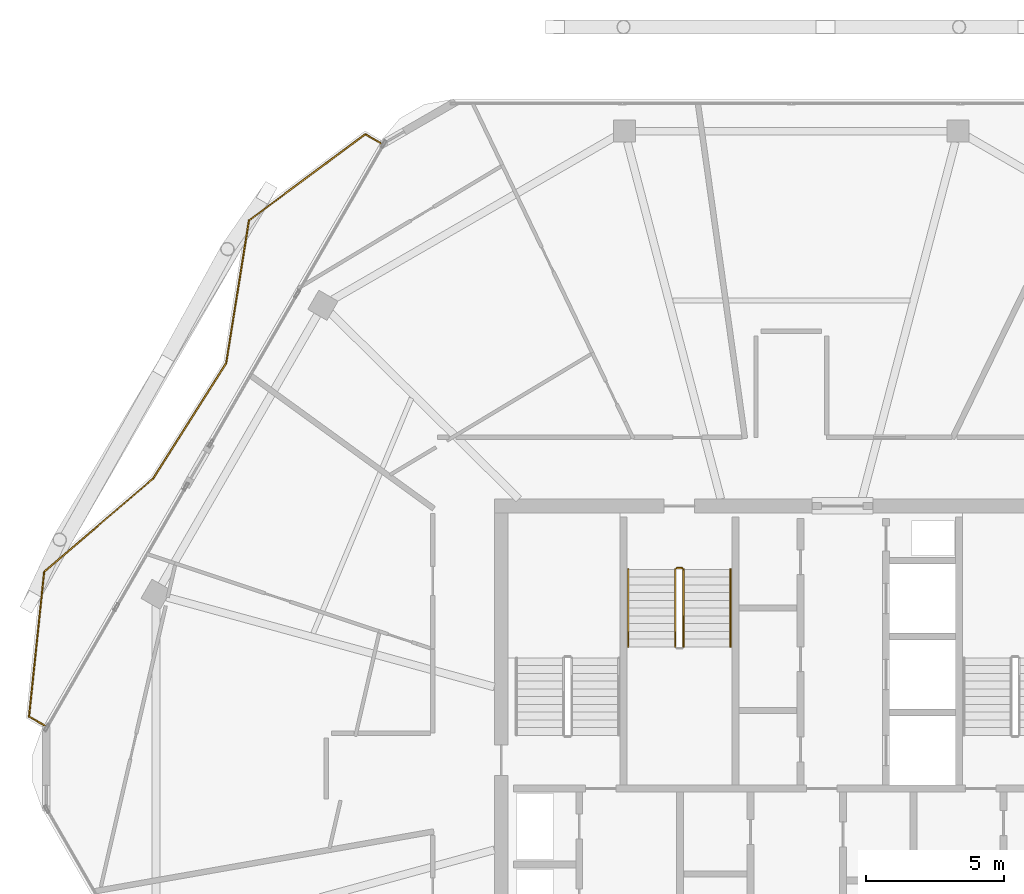
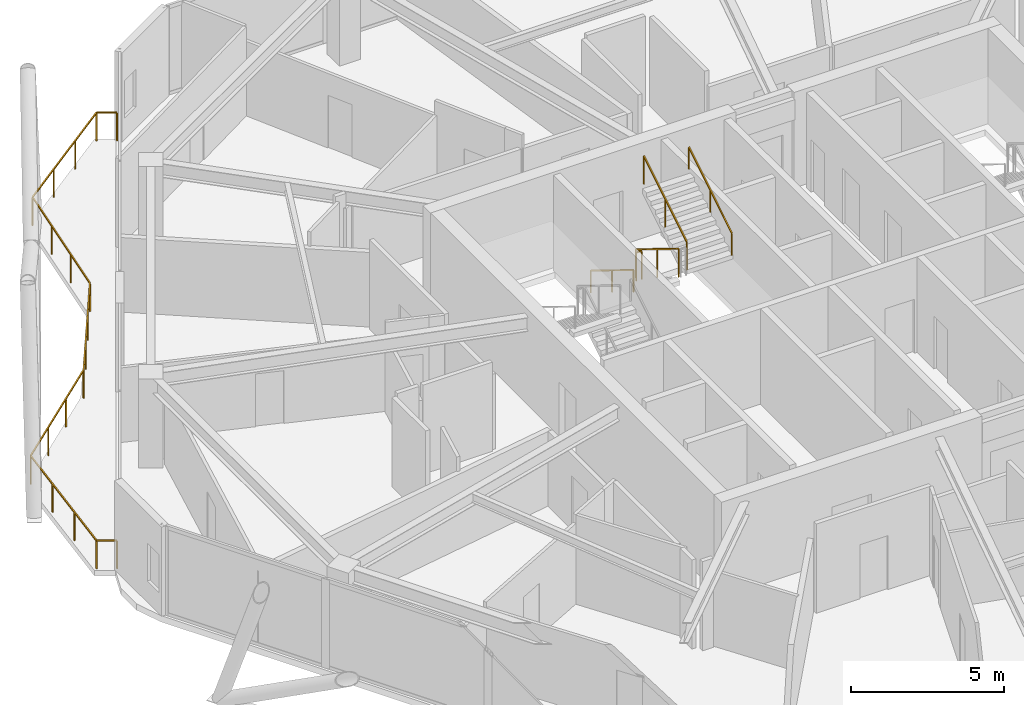
# One storey, part 23 of 23: 6 railings.
"""IFC4 building model written with IfcOpenShell, lengths in metres."""

from ifc_helpers import new_model, si_unit, direction, frame, origin, origin_2d, place, context, subcontext, project, spatial, rectangle, extrude, material, type_object, element, save


model = new_model("IFC4")

# Units and contexts
model_context = context("Model", 3, precision=1e-05, world=origin(), true_north=direction((0.0, 1.0)))
body_context = subcontext(model_context, "Body", "Model", "MODEL_VIEW")
ifc_project = project(units=[si_unit("LENGTHUNIT", "METRE"), si_unit("AREAUNIT", "SQUARE_METRE"), si_unit("VOLUMEUNIT", "CUBIC_METRE"), si_unit("PLANEANGLEUNIT", "RADIAN"), si_unit("MASSUNIT", "GRAM", prefix="KILO")], contexts=[model_context])

# Site, building, storey
site_placement = place(None, origin())
site = spatial("IfcSite", under=ifc_project, at=site_placement, CompositionType="ELEMENT")
building_placement = place(site_placement, origin())
building = spatial("IfcBuilding", under=site, at=building_placement, Name="Zuhravey Tower", CompositionType="ELEMENT")
storey_placement = place(building_placement, frame((0.0, 0.0, 315.800048828125)))
storey = spatial("IfcBuildingStorey", under=building, at=storey_placement, Name="L80", CompositionType="ELEMENT", Elevation=315.800048828125)

# Railings
ifc_material_1 = material(Name="Stainless steel 316 and laminated glass", Category="steel")
railing_type_1 = type_object("IfcRailingType", Name="Balcony & Terrace Guardrail 1150", PredefinedType="BALUSTRADE", material=ifc_material_1)
railing_1_placement = place(storey_placement, frame((8.993408203125, 33.54150390625, 0.0)))
element("IfcRailing", 1, at=railing_1_placement, inside=storey, type_object=railing_type_1, Name="L80 Face 3 Wave Balcony Guardrail GR1", PredefinedType="BALUSTRADE", context=body_context, shape_type="SweptSolid", body=[
    extrude(rectangle(XDim=0.048095703125, YDim=0.048095703125, at=origin_2d()), frame((-0.001708984375, 0.0009765625, 1.1259765625), z_axis=(-0.865896406789, 0.500223362819, 0.0), x_axis=(-0.500223362819, -0.865896406789, 0.0)), (0.0, 0.0, 1.0), 0.6708984375),
    extrude(rectangle(XDim=0.048095703125, YDim=0.048095703125, at=origin_2d()), frame((-0.584228515625, 0.339599609375, 1.1259765625), z_axis=(0.104091293518, 0.994567746618, 0.0), x_axis=(-0.994567746618, 0.104091293518, 0.0)), (0.0, 0.0, 1.0), 5.263916015625),
    extrude(rectangle(XDim=0.048095703125, YDim=0.048095703125, at=origin_2d()), frame((-0.03466796875, 5.578125, 1.1259765625), z_axis=(0.760094311717, 0.649812770954, 0.0), x_axis=(-0.649812770954, 0.760094311717, 0.0)), (0.0, 0.0, 1.0), 5.17626953125),
    extrude(rectangle(XDim=0.048095703125, YDim=0.048095703125, at=origin_2d()), frame((3.90234375, 8.94482421875, 1.1259765625), z_axis=(0.535501677565, 0.844534163504, 0.0), x_axis=(-0.844534163504, 0.535501677565, 0.0)), (0.0, 0.0, 1.0), 4.943115234375),
    extrude(rectangle(XDim=0.048095703125, YDim=0.048095703125, at=origin_2d()), frame((6.55078125, 13.123046875, 1.1259765625), z_axis=(0.157519305698, 0.987515907888, 0.0), x_axis=(-0.987515907888, 0.157519305698, 0.0)), (0.0, 0.0, 1.0), 5.22998046875),
    extrude(rectangle(XDim=0.048095703125, YDim=0.048095703125, at=origin_2d()), frame((7.376708984375, 18.291015625, 1.1259765625), z_axis=(0.803085805431, 0.595863398033, 0.0), x_axis=(-0.595863398033, 0.803085805431, 0.0)), (0.0, 0.0, 1.0), 5.237548828125),
    extrude(rectangle(XDim=0.048095703125, YDim=0.048095703125, at=origin_2d()), frame((11.586181640625, 21.412109375, 1.1259765625), z_axis=(0.865938274818, -0.50015088144, 0.0), x_axis=(0.50015088144, 0.865938274818, 0.0)), (0.0, 0.0, 1.0), 0.670166015625),
    extrude(rectangle(XDim=0.0419921875, YDim=0.0419921875, at=origin_2d()), origin(), (0.0, 0.0, 1.0), 1.099853515625),
    extrude(rectangle(XDim=0.0419921875, YDim=0.0419921875, at=origin_2d()), frame((-0.58447265625, 0.337646484375, 0.0)), (0.0, 0.0, 1.0), 1.099853515625),
    extrude(rectangle(XDim=0.0419921875, YDim=0.0419921875, at=origin_2d()), frame((-0.401611328125, 2.083984375, 0.0)), (0.0, 0.0, 1.0), 1.099853515625),
    extrude(rectangle(XDim=0.0419921875, YDim=0.0419921875, at=origin_2d()), frame((-0.218994140625, 3.83056640625, 0.0)), (0.0, 0.0, 1.0), 1.099853515625),
    extrude(rectangle(XDim=0.0419921875, YDim=0.0419921875, at=origin_2d()), frame((-0.0361328125, 5.576904296875, 0.0)), (0.0, 0.0, 1.0), 1.099853515625),
    extrude(rectangle(XDim=0.0419921875, YDim=0.0419921875, at=origin_2d()), frame((1.2763671875, 6.698974609375, 0.0)), (0.0, 0.0, 1.0), 1.099853515625),
    extrude(rectangle(XDim=0.0419921875, YDim=0.0419921875, at=origin_2d()), frame((2.5888671875, 7.821044921875, 0.0)), (0.0, 0.0, 1.0), 1.099853515625),
    extrude(rectangle(XDim=0.0419921875, YDim=0.0419921875, at=origin_2d()), frame((3.9013671875, 8.943115234375, 0.0)), (0.0, 0.0, 1.0), 1.099853515625),
    extrude(rectangle(XDim=0.0419921875, YDim=0.0419921875, at=origin_2d()), frame((4.784423828125, 10.335693359375, 0.0)), (0.0, 0.0, 1.0), 1.099853515625),
    extrude(rectangle(XDim=0.0419921875, YDim=0.0419921875, at=origin_2d()), frame((5.66748046875, 11.728515625, 0.0)), (0.0, 0.0, 1.0), 1.099853515625),
    extrude(rectangle(XDim=0.0419921875, YDim=0.0419921875, at=origin_2d()), frame((6.550537109375, 13.12109375, 0.0)), (0.0, 0.0, 1.0), 1.099853515625),
    extrude(rectangle(XDim=0.0419921875, YDim=0.0419921875, at=origin_2d()), frame((6.825439453125, 14.843994140625, 0.0)), (0.0, 0.0, 1.0), 1.099853515625),
    extrude(rectangle(XDim=0.0419921875, YDim=0.0419921875, at=origin_2d()), frame((7.10009765625, 16.56689453125, 0.0)), (0.0, 0.0, 1.0), 1.099853515625),
    extrude(rectangle(XDim=0.0419921875, YDim=0.0419921875, at=origin_2d()), frame((7.375, 18.289794921875, 0.0)), (0.0, 0.0, 1.0), 1.099853515625),
    extrude(rectangle(XDim=0.0419921875, YDim=0.0419921875, at=origin_2d()), frame((8.778076171875, 19.330810546875, 0.0)), (0.0, 0.0, 1.0), 1.099853515625),
    extrude(rectangle(XDim=0.0419921875, YDim=0.0419921875, at=origin_2d()), frame((10.181396484375, 20.3720703125, 0.0)), (0.0, 0.0, 1.0), 1.099853515625),
    extrude(rectangle(XDim=0.0419921875, YDim=0.0419921875, at=origin_2d()), frame((11.58447265625, 21.4130859375, 0.0)), (0.0, 0.0, 1.0), 1.099853515625),
    extrude(rectangle(XDim=0.0419921875, YDim=0.0419921875, at=origin_2d()), frame((12.168212890625, 21.075927734375, 0.0)), (0.0, 0.0, 1.0), 1.099853515625),
])
ifc_material_2 = material(Name="Brushed stainless steel", Category="steel")
railing_type_2 = type_object("IfcRailingType", Name="Stair Wall Handrail 900", PredefinedType="HANDRAIL", material=ifc_material_2)
railing_2_placement = place(storey_placement, frame((30.10009765625, 39.199951171875, 0.172607421875)))
element("IfcRailing", 2, at=railing_2_placement, inside=storey, type_object=railing_type_2, Name="L80 ST3 stair handrail 1", PredefinedType="HANDRAIL", context=body_context, shape_type="SweptSolid", body=[
    extrude(rectangle(XDim=0.048095703125, YDim=0.048095703125, at=origin_2d()), frame((0.0, -0.001708984375, 0.876953125), z_axis=(0.0, -0.851089632645, 0.525020415988), x_axis=(1.0, 0.0, 0.0)), (0.0, 0.0, 1.0), 3.285888671875),
    extrude(rectangle(XDim=0.0419921875, YDim=0.0419921875, at=origin_2d()), origin(), (0.0, 0.0, 1.0), 0.849853515625),
    extrude(rectangle(XDim=0.0419921875, YDim=0.0419921875, at=origin_2d()), frame((0.0, -1.39990234375, 0.86376953125)), (0.0, 0.0, 1.0), 0.849853515625),
    extrude(rectangle(XDim=0.0419921875, YDim=0.0419921875, at=origin_2d()), frame((0.0, -2.800048828125, 1.727294921875)), (0.0, 0.0, 1.0), 0.849853515625),
])
railing_3_placement = place(storey_placement, frame((33.800048828125, 36.39990234375, 2.07275390625)))
element("IfcRailing", 3, at=railing_3_placement, inside=storey, type_object=railing_type_2, Name="L80 ST3 stair handrail 2", PredefinedType="HANDRAIL", context=body_context, shape_type="SweptSolid", body=[
    extrude(rectangle(XDim=0.048095703125, YDim=0.048095703125, at=origin_2d()), frame((0.0, 0.001708984375, 0.876953125), z_axis=(0.0, 0.851089632645, 0.525020415988), x_axis=(-1.0, 0.0, 0.0)), (0.0, 0.0, 1.0), 3.285888671875),
    extrude(rectangle(XDim=0.0419921875, YDim=0.0419921875, at=origin_2d()), origin(), (0.0, 0.0, 1.0), 0.849853515625),
    extrude(rectangle(XDim=0.0419921875, YDim=0.0419921875, at=origin_2d()), frame((0.0, 1.39990234375, 0.86376953125)), (0.0, 0.0, 1.0), 0.849853515625),
    extrude(rectangle(XDim=0.0419921875, YDim=0.0419921875, at=origin_2d()), frame((0.0, 2.800048828125, 1.727294921875)), (0.0, 0.0, 1.0), 0.849853515625),
])
ifc_material_3 = material(Name="Painted tubular steel", Category="steel")
railing_type_3 = type_object("IfcRailingType", Name="Stair Well Guardrail 1150", PredefinedType="GUARDRAIL", material=ifc_material_3)
railing_4_placement = place(storey_placement, frame((31.800048828125, 39.199951171875, 0.172607421875)))
element("IfcRailing", 4, at=railing_4_placement, inside=storey, type_object=railing_type_3, Name="L80 ST3 stair guard 1", PredefinedType="GUARDRAIL", context=body_context, shape_type="SweptSolid", body=[
    extrude(rectangle(XDim=0.048095703125, YDim=0.048095703125, at=origin_2d()), frame((0.0, -0.001708984375, 1.126953125), z_axis=(0.0, -0.851089632645, 0.525020415988), x_axis=(1.0, 0.0, 0.0)), (0.0, 0.0, 1.0), 3.285888671875),
    extrude(rectangle(XDim=0.0419921875, YDim=0.0419921875, at=origin_2d()), origin(), (0.0, 0.0, 1.0), 1.099853515625),
    extrude(rectangle(XDim=0.0419921875, YDim=0.0419921875, at=origin_2d()), frame((0.0, -1.39990234375, 0.86376953125)), (0.0, 0.0, 1.0), 1.099853515625),
    extrude(rectangle(XDim=0.0419921875, YDim=0.0419921875, at=origin_2d()), frame((0.0, -2.800048828125, 1.727294921875)), (0.0, 0.0, 1.0), 1.099853515625),
])
railing_5_placement = place(storey_placement, frame((32.10009765625, 36.39990234375, 2.07275390625)))
element("IfcRailing", 5, at=railing_5_placement, inside=storey, type_object=railing_type_3, Name="L80 ST3 stair guard 3", PredefinedType="GUARDRAIL", context=body_context, shape_type="SweptSolid", body=[
    extrude(rectangle(XDim=0.048095703125, YDim=0.048095703125, at=origin_2d()), frame((0.0, 0.001708984375, 1.126953125), z_axis=(0.0, 0.851089632645, 0.525020415988), x_axis=(-1.0, 0.0, 0.0)), (0.0, 0.0, 1.0), 3.285888671875),
    extrude(rectangle(XDim=0.0419921875, YDim=0.0419921875, at=origin_2d()), origin(), (0.0, 0.0, 1.0), 1.099853515625),
    extrude(rectangle(XDim=0.0419921875, YDim=0.0419921875, at=origin_2d()), frame((0.0, 1.39990234375, 0.86376953125)), (0.0, 0.0, 1.0), 1.099853515625),
    extrude(rectangle(XDim=0.0419921875, YDim=0.0419921875, at=origin_2d()), frame((0.0, 2.800048828125, 1.727294921875)), (0.0, 0.0, 1.0), 1.099853515625),
])
railing_6_placement = place(storey_placement, frame((31.85009765625, 39.25, 0.0)))
element("IfcRailing", 6, at=railing_6_placement, inside=storey, type_object=railing_type_3, Name="L80 ST3 stair guard 4", PredefinedType="GUARDRAIL", context=body_context, shape_type="SweptSolid", body=[
    extrude(rectangle(XDim=0.048095703125, YDim=0.048095703125, at=origin_2d()), frame((0.001953125, 0.0, 1.1259765625), z_axis=(1.0, 0.0, 0.0), x_axis=(0.0, 1.0, 0.0)), (0.0, 0.0, 1.0), 0.196044921875),
    extrude(rectangle(XDim=0.0419921875, YDim=0.0419921875, at=origin_2d()), origin(), (0.0, 0.0, 1.0), 1.099853515625),
    extrude(rectangle(XDim=0.0419921875, YDim=0.0419921875, at=origin_2d()), frame((0.199951171875, 0.0, 0.0)), (0.0, 0.0, 1.0), 1.099853515625),
])

save(model, "model.ifc")
